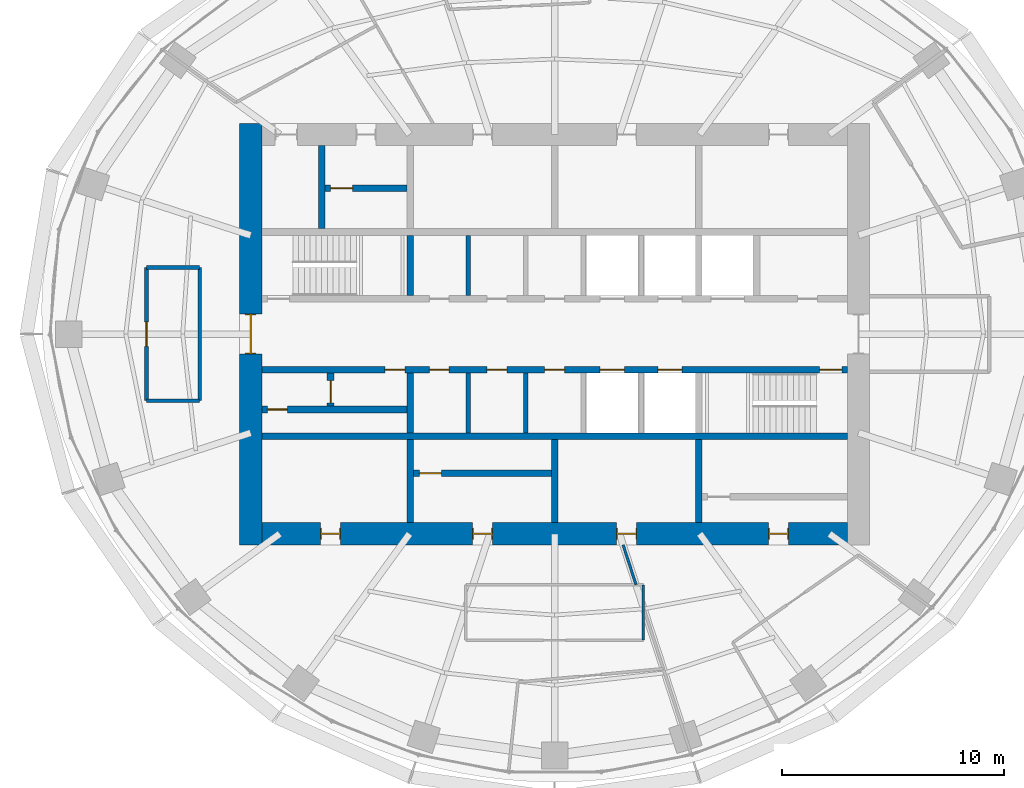
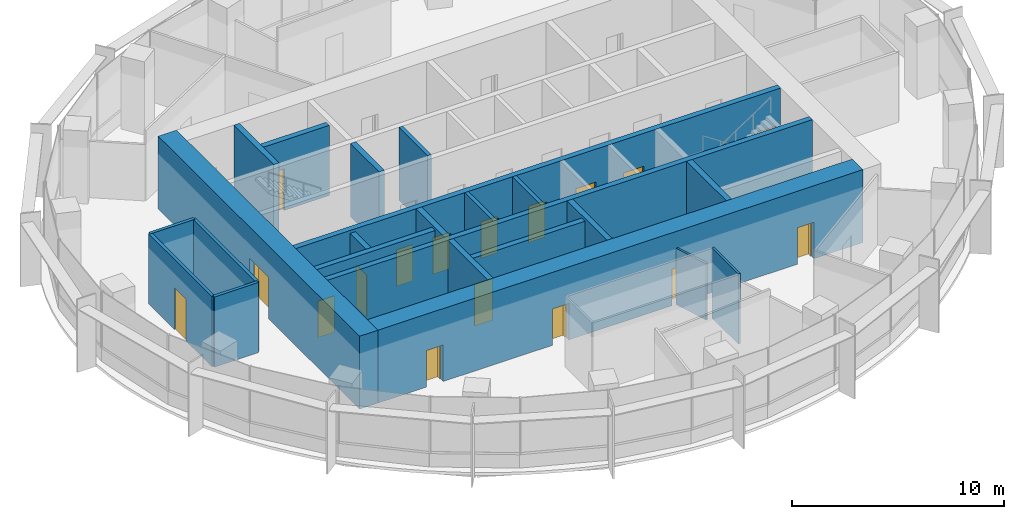
# One storey, part 9 of 13: 23 walls, 17 doors, 17 openings.
"""IFC4 building model written with IfcOpenShell, lengths in metres."""

from ifc_helpers import new_model, si_unit, direction, frame, frame_2d, origin, place, context, subcontext, project, spatial, rectangle, extrude, material, layer, layer_set, type_object, element, fill, save


model = new_model("IFC4")

# Units and contexts
model_context = context("Model", 3, precision=1e-05, world=origin(), true_north=direction((0.0, 1.0)))
body_context = subcontext(model_context, "Body", "Model", "MODEL_VIEW")
ifc_project = project(units=[si_unit("LENGTHUNIT", "METRE"), si_unit("AREAUNIT", "SQUARE_METRE"), si_unit("VOLUMEUNIT", "CUBIC_METRE"), si_unit("PLANEANGLEUNIT", "RADIAN"), si_unit("MASSUNIT", "GRAM", prefix="KILO")], contexts=[model_context])

# Site, building, storey
site_placement = place(None, origin())
site = spatial("IfcSite", under=ifc_project, at=site_placement, CompositionType="ELEMENT")
building_placement = place(site_placement, origin())
building = spatial("IfcBuilding", under=site, at=building_placement, Name="Marramba Exchange Tower", CompositionType="ELEMENT")
storey_placement = place(building_placement, frame((0.0, 0.0, 260.199951171875)))
storey = spatial("IfcBuildingStorey", under=building, at=storey_placement, Name="L63", CompositionType="ELEMENT", Elevation=260.199951171875)

# Walls
ifc_material_1 = material(Name="Plasterboard on staggered double steel studs, acoustic insulation", Category="steel")
ifc_layer_1 = layer(ifc_material_1, 0.169921875)
ifc_layer_set_1 = layer_set([ifc_layer_1], Name="Acoustic partition 170")
wall_type_1 = type_object("IfcWallType", Name="Acoustic partition 170", PredefinedType="PARTITIONING", material=ifc_layer_set_1)
for number, where, z_axis, x_axis, name in (
    (1, (-16.0, -3.0, 0.0), (0.0, 0.0, 1.0), (-1.0, 0.0, 0.0), "Acoustic partition L63 01"),
    (2, (-18.39990234375, 3.0, 0.0), (0.0, 0.0, 1.0), (1.0, 0.0, 0.0), "Acoustic partition L63 25"),
):
    element("IfcWall", number, at=place(storey_placement, frame(where, z_axis=z_axis, x_axis=x_axis)), inside=storey, type_object=wall_type_1, Name=name, PredefinedType="PARTITIONING", context=body_context, shape_type="SweptSolid", body=[
        extrude(rectangle(XDim=2.39990234375, YDim=0.169921875, at=frame_2d((1.199951171875, 0.0))), origin(), (0.0, 0.0, 1.0), 4.0400390625),
    ])

# Wall, opening, door
wall_1_placement = place(storey_placement, frame((-18.39990234375, -3.0, 0.0), z_axis=(0.0, 0.0, 1.0), x_axis=(0.0, 1.0, 0.0)))
wall_1 = element("IfcWall", 3, at=wall_1_placement, inside=storey, type_object=wall_type_1, Name="Acoustic partition L63 26", PredefinedType="PARTITIONING", context=body_context, shape_type="SweptSolid", body=[
    extrude(rectangle(XDim=6.0, YDim=0.169921875, at=frame_2d((3.0, 0.0))), origin(), (0.0, 0.0, 1.0), 4.0400390625),
])
opening_1_placement = place(wall_1_placement, frame((2.449951171875, 0.0, 0.0)))
opening_1 = element("IfcOpeningElement", 4, at=opening_1_placement, cuts=wall_1, Name="Opening D15", PredefinedType="OPENING", context=body_context, shape_type="SweptSolid", body=[
    extrude(rectangle(XDim=1.10009765625, YDim=2.39990234375, at=frame_2d((0.550048828125, 1.199951171875))), frame((0.0, 0.094970703125, 0.0), z_axis=(0.0, -1.0, 0.0), x_axis=(1.0, 0.0, 0.0)), (0.0, 0.0, 1.0), 0.18994140625),
])
ifc_material_2 = material(Name="Timber door", Category="wood")
door_type_1 = type_object("IfcDoorType", Name="Glazed meeting room door 1100x2400", OperationType="SINGLE_SWING_LEFT", PredefinedType="DOOR", material=ifc_material_2)
door_1_placement = place(opening_1_placement, frame((1.10009765625, 0.0, 0.0), z_axis=(0.0, 0.0, 1.0), x_axis=(-1.0, 0.0, 0.0)))
door_1 = element("IfcDoor", 5, at=door_1_placement, inside=storey, type_object=door_type_1, Name="D15 Meeting Room L63", OperationType="SINGLE_SWING_RIGHT", OverallHeight=2.39990234375, OverallWidth=1.10009765625, PredefinedType="DOOR", context=body_context, shape_type="SweptSolid", body=[
    extrude(rectangle(XDim=1.10009765625, YDim=2.39990234375, at=frame_2d((0.550048828125, 1.199951171875))), frame((0.0, 0.025146484375, 0.0), z_axis=(0.0, -1.0, 0.0), x_axis=(1.0, 0.0, 0.0)), (0.0, 0.0, 1.0), 0.050048828125),
])
fill(opening_1, door_1)

# Walls
wall_2_placement = place(storey_placement, frame((-16.0, 3.0, 0.0), z_axis=(0.0, 0.0, 1.0), x_axis=(0.0, -1.0, 0.0)))
element("IfcWall", 6, at=wall_2_placement, inside=storey, type_object=wall_type_1, Name="Acoustic partition L63 27", PredefinedType="PARTITIONING", context=body_context, shape_type="SweptSolid", body=[
    extrude(rectangle(XDim=6.0, YDim=0.169921875, at=frame_2d((3.0, 0.0))), origin(), (0.0, 0.0, 1.0), 4.0400390625),
])
ifc_material_3 = material(Name="Concrete N50", Category="concrete")
ifc_layer_2 = layer(ifc_material_3, 0.199951171875)
ifc_layer_set_2 = layer_set([ifc_layer_2], Name="Core shaft wall 200")
wall_type_2 = type_object("IfcWallType", Name="Core shaft wall 200", PredefinedType="SHEAR", material=ifc_layer_set_2)
for number, where, z_axis, x_axis, name in (
    (7, (-3.89990234375, 1.75, 0.0), (0.0, 0.0, 1.0), (0.0, 1.0, 0.0), "Core wall SHN1 L63"),
    (8, (-3.89990234375, -1.75, 0.0), (0.0, 0.0, 1.0), (0.0, -1.0, 0.0), "Core wall SHS1 L63"),
    (9, (-1.300048828125, -1.75, 0.0), (0.0, 0.0, 1.0), (0.0, -1.0, 0.0), "Core wall SHS2 L63"),
):
    element("IfcWall", number, at=place(storey_placement, frame(where, z_axis=z_axis, x_axis=x_axis)), inside=storey, type_object=wall_type_2, Name=name, PredefinedType="SHEAR", context=body_context, shape_type="SweptSolid", body=[
        extrude(rectangle(XDim=2.699951171875, YDim=0.199951171875, at=frame_2d((1.35009765625, 0.0))), origin(), (0.0, 0.0, 1.0), 4.199951171875),
    ])

# Wall, openings, doors
ifc_layer_3 = layer(ifc_material_3, 1.0)
ifc_layer_set_3 = layer_set([ifc_layer_3], Name="Core wall 1000")
wall_type_3 = type_object("IfcWallType", Name="Core wall 1000", PredefinedType="SHEAR", material=ifc_layer_set_3)
wall_3_placement = place(storey_placement, frame((-13.199951171875, -9.0, 0.0), z_axis=(0.0, 0.0, 1.0), x_axis=(1.0, 0.0, 0.0)))
wall_3 = element("IfcWall", 10, at=wall_3_placement, inside=storey, type_object=wall_type_3, Name="Core wall S L63", PredefinedType="SHEAR", context=body_context, shape_type="SweptSolid", body=[
    extrude(rectangle(XDim=26.39990234375, YDim=1.0, at=frame_2d((13.199951171875, 0.0))), origin(), (0.0, 0.0, 1.0), 4.199951171875),
])
opening_2_placement = place(wall_3_placement, frame((2.64990234375, 0.0, 0.0)))
opening_2 = element("IfcOpeningElement", 11, at=opening_2_placement, cuts=wall_3, Name="Opening D5", PredefinedType="OPENING", context=body_context, shape_type="SweptSolid", body=[
    extrude(rectangle(XDim=0.89990234375, YDim=2.10009765625, at=frame_2d((0.449951171875, 1.050048828125))), frame((0.0, 0.510009765625, 0.0), z_axis=(0.0, -1.0, 0.0), x_axis=(1.0, 0.0, 0.0)), (0.0, 0.0, 1.0), 1.02001953125),
])
opening_3_placement = place(wall_3_placement, frame((9.5, 0.0, 0.0)))
opening_3 = element("IfcOpeningElement", 12, at=opening_3_placement, cuts=wall_3, Name="Opening D5", PredefinedType="OPENING", context=body_context, shape_type="SweptSolid", body=[
    extrude(rectangle(XDim=0.89990234375, YDim=2.10009765625, at=frame_2d((0.449951171875, 1.050048828125))), frame((0.0, 0.510009765625, 0.0), z_axis=(0.0, -1.0, 0.0), x_axis=(1.0, 0.0, 0.0)), (0.0, 0.0, 1.0), 1.02001953125),
])
opening_4_placement = place(wall_3_placement, frame((16.0, 0.0, 0.0)))
opening_4 = element("IfcOpeningElement", 13, at=opening_4_placement, cuts=wall_3, Name="Opening D5", PredefinedType="OPENING", context=body_context, shape_type="SweptSolid", body=[
    extrude(rectangle(XDim=0.89990234375, YDim=2.10009765625, at=frame_2d((0.449951171875, 1.050048828125))), frame((0.0, 0.510009765625, 0.0), z_axis=(0.0, -1.0, 0.0), x_axis=(1.0, 0.0, 0.0)), (0.0, 0.0, 1.0), 1.02001953125),
])
opening_5_placement = place(wall_3_placement, frame((22.85009765625, 0.0, 0.0)))
opening_5 = element("IfcOpeningElement", 14, at=opening_5_placement, cuts=wall_3, Name="Opening D5", PredefinedType="OPENING", context=body_context, shape_type="SweptSolid", body=[
    extrude(rectangle(XDim=0.89990234375, YDim=2.10009765625, at=frame_2d((0.449951171875, 1.050048828125))), frame((0.0, 0.510009765625, 0.0), z_axis=(0.0, -1.0, 0.0), x_axis=(1.0, 0.0, 0.0)), (0.0, 0.0, 1.0), 1.02001953125),
])
ifc_material_4 = material(Name="Steel-framed door", Category="steel")
door_type_2 = type_object("IfcDoorType", Name="Service door 900x2100", OperationType="SINGLE_SWING_LEFT", PredefinedType="DOOR", material=ifc_material_4)
door_2_placement = place(opening_2_placement, origin())
door_2 = element("IfcDoor", 15, at=door_2_placement, inside=storey, type_object=door_type_2, Name="D5 ahu L63", OperationType="SINGLE_SWING_LEFT", OverallHeight=2.10009765625, OverallWidth=0.89990234375, PredefinedType="DOOR", context=body_context, shape_type="SweptSolid", body=[
    extrude(rectangle(XDim=0.81982421875, YDim=2.06005859375, at=frame_2d((0.449951171875, 1.030029296875))), frame((0.0, 0.02490234375, 0.0), z_axis=(0.0, -1.0, 0.0), x_axis=(1.0, 0.0, 0.0)), (0.0, 0.0, 1.0), 0.050048828125),
    extrude(rectangle(XDim=0.04, YDim=2.10009765625, at=frame_2d((0.02001953125, 1.050048828125))), frame((0.0, 0.25, 0.0), z_axis=(0.0, -1.0, 0.0), x_axis=(1.0, 0.0, 0.0)), (0.0, 0.0, 1.0), 0.5),
    extrude(rectangle(XDim=0.04, YDim=2.10009765625, at=frame_2d((0.8798828125, 1.050048828125))), frame((0.0, 0.25, 0.0), z_axis=(0.0, -1.0, 0.0), x_axis=(1.0, 0.0, 0.0)), (0.0, 0.0, 1.0), 0.5),
    extrude(rectangle(XDim=0.81982421875, YDim=0.04, at=frame_2d((0.449951171875, 2.080078125))), frame((0.0, 0.25, 0.0), z_axis=(0.0, -1.0, 0.0), x_axis=(1.0, 0.0, 0.0)), (0.0, 0.0, 1.0), 0.5),
])
fill(opening_2, door_2)
door_3_placement = place(opening_3_placement, origin())
door_3 = element("IfcDoor", 16, at=door_3_placement, inside=storey, type_object=door_type_2, Name="D5 store L63", OperationType="SINGLE_SWING_RIGHT", OverallHeight=2.10009765625, OverallWidth=0.89990234375, PredefinedType="DOOR", context=body_context, shape_type="SweptSolid", body=[
    extrude(rectangle(XDim=0.81982421875, YDim=2.06005859375, at=frame_2d((0.449951171875, 1.030029296875))), frame((0.0, 0.02490234375, 0.0), z_axis=(0.0, -1.0, 0.0), x_axis=(1.0, 0.0, 0.0)), (0.0, 0.0, 1.0), 0.050048828125),
    extrude(rectangle(XDim=0.04, YDim=2.10009765625, at=frame_2d((0.02001953125, 1.050048828125))), frame((0.0, 0.25, 0.0), z_axis=(0.0, -1.0, 0.0), x_axis=(1.0, 0.0, 0.0)), (0.0, 0.0, 1.0), 0.5),
    extrude(rectangle(XDim=0.04, YDim=2.10009765625, at=frame_2d((0.8798828125, 1.050048828125))), frame((0.0, 0.25, 0.0), z_axis=(0.0, -1.0, 0.0), x_axis=(1.0, 0.0, 0.0)), (0.0, 0.0, 1.0), 0.5),
    extrude(rectangle(XDim=0.81982421875, YDim=0.04, at=frame_2d((0.449951171875, 2.080078125))), frame((0.0, 0.25, 0.0), z_axis=(0.0, -1.0, 0.0), x_axis=(1.0, 0.0, 0.0)), (0.0, 0.0, 1.0), 0.5),
])
fill(opening_3, door_3)
door_4_placement = place(opening_4_placement, origin())
door_4 = element("IfcDoor", 17, at=door_4_placement, inside=storey, type_object=door_type_2, Name="D5 switch L63", OperationType="SINGLE_SWING_RIGHT", OverallHeight=2.10009765625, OverallWidth=0.89990234375, PredefinedType="DOOR", context=body_context, shape_type="SweptSolid", body=[
    extrude(rectangle(XDim=0.81982421875, YDim=2.06005859375, at=frame_2d((0.449951171875, 1.030029296875))), frame((0.0, 0.02490234375, 0.0), z_axis=(0.0, -1.0, 0.0), x_axis=(1.0, 0.0, 0.0)), (0.0, 0.0, 1.0), 0.050048828125),
    extrude(rectangle(XDim=0.04, YDim=2.10009765625, at=frame_2d((0.02001953125, 1.050048828125))), frame((0.0, 0.25, 0.0), z_axis=(0.0, -1.0, 0.0), x_axis=(1.0, 0.0, 0.0)), (0.0, 0.0, 1.0), 0.5),
    extrude(rectangle(XDim=0.04, YDim=2.10009765625, at=frame_2d((0.8798828125, 1.050048828125))), frame((0.0, 0.25, 0.0), z_axis=(0.0, -1.0, 0.0), x_axis=(1.0, 0.0, 0.0)), (0.0, 0.0, 1.0), 0.5),
    extrude(rectangle(XDim=0.81982421875, YDim=0.04, at=frame_2d((0.449951171875, 2.080078125))), frame((0.0, 0.25, 0.0), z_axis=(0.0, -1.0, 0.0), x_axis=(1.0, 0.0, 0.0)), (0.0, 0.0, 1.0), 0.5),
])
fill(opening_4, door_4)
door_5_placement = place(opening_5_placement, origin())
door_5 = element("IfcDoor", 18, at=door_5_placement, inside=storey, type_object=door_type_2, Name="D5 cstore L63", OperationType="SINGLE_SWING_RIGHT", OverallHeight=2.10009765625, OverallWidth=0.89990234375, PredefinedType="DOOR", context=body_context, shape_type="SweptSolid", body=[
    extrude(rectangle(XDim=0.81982421875, YDim=2.06005859375, at=frame_2d((0.449951171875, 1.030029296875))), frame((0.0, 0.02490234375, 0.0), z_axis=(0.0, -1.0, 0.0), x_axis=(1.0, 0.0, 0.0)), (0.0, 0.0, 1.0), 0.050048828125),
    extrude(rectangle(XDim=0.04, YDim=2.10009765625, at=frame_2d((0.02001953125, 1.050048828125))), frame((0.0, 0.25, 0.0), z_axis=(0.0, -1.0, 0.0), x_axis=(1.0, 0.0, 0.0)), (0.0, 0.0, 1.0), 0.5),
    extrude(rectangle(XDim=0.04, YDim=2.10009765625, at=frame_2d((0.8798828125, 1.050048828125))), frame((0.0, 0.25, 0.0), z_axis=(0.0, -1.0, 0.0), x_axis=(1.0, 0.0, 0.0)), (0.0, 0.0, 1.0), 0.5),
    extrude(rectangle(XDim=0.81982421875, YDim=0.04, at=frame_2d((0.449951171875, 2.080078125))), frame((0.0, 0.25, 0.0), z_axis=(0.0, -1.0, 0.0), x_axis=(1.0, 0.0, 0.0)), (0.0, 0.0, 1.0), 0.5),
])
fill(opening_5, door_5)

# Wall, opening, door
wall_4_placement = place(storey_placement, frame((-13.699951171875, 9.5, 0.0), z_axis=(0.0, 0.0, 1.0), x_axis=(0.0, -1.0, 0.0)))
wall_4 = element("IfcWall", 19, at=wall_4_placement, inside=storey, type_object=wall_type_3, Name="Core wall W L63", PredefinedType="SHEAR", context=body_context, shape_type="SweptSolid", body=[
    extrude(rectangle(XDim=19.0, YDim=1.0, at=frame_2d((9.5, 0.0))), origin(), (0.0, 0.0, 1.0), 4.199951171875),
])
opening_6_placement = place(wall_4_placement, frame((8.60009765625, 0.0, 0.0)))
opening_6 = element("IfcOpeningElement", 20, at=opening_6_placement, cuts=wall_4, Name="Opening D1", PredefinedType="OPENING", context=body_context, shape_type="SweptSolid", body=[
    extrude(rectangle(XDim=1.800048828125, YDim=2.39990234375, at=frame_2d((0.89990234375, 1.199951171875))), frame((0.0, 0.510009765625, 0.0), z_axis=(0.0, -1.0, 0.0), x_axis=(1.0, 0.0, 0.0)), (0.0, 0.0, 1.0), 1.02001953125),
])
door_type_3 = type_object("IfcDoorType", Name="Lobby exit door 1800x2400", OperationType="DOUBLE_DOOR_SINGLE_SWING", PredefinedType="DOOR", material=ifc_material_4)
door_6_placement = place(opening_6_placement, origin())
door_6 = element("IfcDoor", 21, at=door_6_placement, inside=storey, type_object=door_type_3, Name="D1 lobby exit west L63", OperationType="DOUBLE_DOOR_SINGLE_SWING", OverallHeight=2.39990234375, OverallWidth=1.800048828125, PredefinedType="DOOR", context=body_context, shape_type="SweptSolid", body=[
    extrude(rectangle(XDim=1.719970703125, YDim=2.35986328125, at=frame_2d((0.89990234375, 1.179931640625))), frame((0.0, 0.02490234375, 0.0), z_axis=(0.0, -1.0, 0.0), x_axis=(1.0, 0.0, 0.0)), (0.0, 0.0, 1.0), 0.050048828125),
    extrude(rectangle(XDim=0.04, YDim=2.39990234375, at=frame_2d((0.02001953125, 1.199951171875))), frame((0.0, 0.25, 0.0), z_axis=(0.0, -1.0, 0.0), x_axis=(1.0, 0.0, 0.0)), (0.0, 0.0, 1.0), 0.5),
    extrude(rectangle(XDim=0.04, YDim=2.39990234375, at=frame_2d((1.780029296875, 1.199951171875))), frame((0.0, 0.25, 0.0), z_axis=(0.0, -1.0, 0.0), x_axis=(1.0, 0.0, 0.0)), (0.0, 0.0, 1.0), 0.5),
    extrude(rectangle(XDim=1.719970703125, YDim=0.04, at=frame_2d((0.89990234375, 2.3798828125))), frame((0.0, 0.25, 0.0), z_axis=(0.0, -1.0, 0.0), x_axis=(1.0, 0.0, 0.0)), (0.0, 0.0, 1.0), 0.5),
])
fill(opening_6, door_6)

# Wall, openings, doors
ifc_layer_4 = layer(ifc_material_3, 0.300048828125)
ifc_layer_set_4 = layer_set([ifc_layer_4], Name="Core wall 300")
wall_type_4 = type_object("IfcWallType", Name="Core wall 300", PredefinedType="SHEAR", material=ifc_layer_set_4)
wall_5_placement = place(storey_placement, frame((-13.199951171875, -1.60009765625, 0.0), z_axis=(0.0, 0.0, 1.0), x_axis=(1.0, 0.0, 0.0)))
wall_5 = element("IfcWall", 22, at=wall_5_placement, inside=storey, type_object=wall_type_4, Name="Core wall LS L63", PredefinedType="SHEAR", context=body_context, shape_type="SweptSolid", body=[
    extrude(rectangle(XDim=26.39990234375, YDim=0.300048828125, at=frame_2d((13.199951171875, 0.0))), origin(), (0.0, 0.0, 1.0), 4.199951171875),
])
opening_7_placement = place(wall_5_placement, frame((25.14990234375, 0.0, 0.0)))
opening_7 = element("IfcOpeningElement", 23, at=opening_7_placement, cuts=wall_5, Name="Opening D2", PredefinedType="OPENING", context=body_context, shape_type="SweptSolid", body=[
    extrude(rectangle(XDim=1.0, YDim=2.10009765625, at=frame_2d((0.5, 1.050048828125))), frame((0.0, 0.159912109375, 0.0), z_axis=(0.0, -1.0, 0.0), x_axis=(1.0, 0.0, 0.0)), (0.0, 0.0, 1.0), 0.320068359375),
])
opening_8_placement = place(wall_5_placement, frame((7.550048828125, 0.0, 0.0)))
opening_8 = element("IfcOpeningElement", 24, at=opening_8_placement, cuts=wall_5, Name="Opening D5", PredefinedType="OPENING", context=body_context, shape_type="SweptSolid", body=[
    extrude(rectangle(XDim=0.89990234375, YDim=2.10009765625, at=frame_2d((0.449951171875, 1.050048828125))), frame((0.0, 0.159912109375, 0.0), z_axis=(0.0, -1.0, 0.0), x_axis=(1.0, 0.0, 0.0)), (0.0, 0.0, 1.0), 0.320068359375),
])
opening_9_placement = place(wall_5_placement, frame((10.14990234375, 0.0, 0.0)))
opening_9 = element("IfcOpeningElement", 25, at=opening_9_placement, cuts=wall_5, Name="Opening D5", PredefinedType="OPENING", context=body_context, shape_type="SweptSolid", body=[
    extrude(rectangle(XDim=0.89990234375, YDim=2.10009765625, at=frame_2d((0.449951171875, 1.050048828125))), frame((0.0, 0.159912109375, 0.0), z_axis=(0.0, -1.0, 0.0), x_axis=(1.0, 0.0, 0.0)), (0.0, 0.0, 1.0), 0.320068359375),
])
opening_10_placement = place(wall_5_placement, frame((12.75, 0.0, 0.0)))
opening_10 = element("IfcOpeningElement", 26, at=opening_10_placement, cuts=wall_5, Name="Opening D3", PredefinedType="OPENING", context=body_context, shape_type="SweptSolid", body=[
    extrude(rectangle(XDim=0.89990234375, YDim=2.10009765625, at=frame_2d((0.449951171875, 1.050048828125))), frame((0.0, 0.159912109375, 0.0), z_axis=(0.0, -1.0, 0.0), x_axis=(1.0, 0.0, 0.0)), (0.0, 0.0, 1.0), 0.320068359375),
])
opening_11_placement = place(wall_5_placement, frame((15.25, 0.0, 0.0)))
opening_11 = element("IfcOpeningElement", 27, at=opening_11_placement, cuts=wall_5, Name="Opening LD2", PredefinedType="OPENING", context=body_context, shape_type="SweptSolid", body=[
    extrude(rectangle(XDim=1.10009765625, YDim=2.300048828125, at=frame_2d((0.550048828125, 1.14990234375))), frame((0.0, 0.159912109375, 0.0), z_axis=(0.0, -1.0, 0.0), x_axis=(1.0, 0.0, 0.0)), (0.0, 0.0, 1.0), 0.320068359375),
])
opening_12_placement = place(wall_5_placement, frame((17.85009765625, 0.0, 0.0)))
opening_12 = element("IfcOpeningElement", 28, at=opening_12_placement, cuts=wall_5, Name="Opening LD2", PredefinedType="OPENING", context=body_context, shape_type="SweptSolid", body=[
    extrude(rectangle(XDim=1.10009765625, YDim=2.300048828125, at=frame_2d((0.550048828125, 1.14990234375))), frame((0.0, 0.159912109375, 0.0), z_axis=(0.0, -1.0, 0.0), x_axis=(1.0, 0.0, 0.0)), (0.0, 0.0, 1.0), 0.320068359375),
])
opening_13_placement = place(wall_5_placement, frame((5.550048828125, 0.0, 0.0)))
opening_13 = element("IfcOpeningElement", 29, at=opening_13_placement, cuts=wall_5, Name="Opening D5", PredefinedType="OPENING", context=body_context, shape_type="SweptSolid", body=[
    extrude(rectangle(XDim=0.89990234375, YDim=2.10009765625, at=frame_2d((0.449951171875, 1.050048828125))), frame((0.0, 0.159912109375, 0.0), z_axis=(0.0, -1.0, 0.0), x_axis=(1.0, 0.0, 0.0)), (0.0, 0.0, 1.0), 0.320068359375),
])
door_type_4 = type_object("IfcDoorType", Name="Emergency lift landing door 1100x2300", OperationType="SLIDING_TO_LEFT", PredefinedType="DOOR", material=ifc_material_4)
door_7_placement = place(opening_11_placement, frame((1.10009765625, 0.0, 0.0), z_axis=(0.0, 0.0, 1.0), x_axis=(-1.0, 0.0, 0.0)))
door_7 = element("IfcDoor", 30, at=door_7_placement, inside=storey, type_object=door_type_4, Name="FL1 landing door L63", OperationType="SLIDING_TO_RIGHT", OverallHeight=2.300048828125, OverallWidth=1.10009765625, PredefinedType="DOOR", context=body_context, shape_type="SweptSolid", body=[
    extrude(rectangle(XDim=1.10009765625, YDim=2.300048828125, at=frame_2d((0.550048828125, 1.14990234375))), frame((0.0, 0.025146484375, 0.0), z_axis=(0.0, -1.0, 0.0), x_axis=(1.0, 0.0, 0.0)), (0.0, 0.0, 1.0), 0.050048828125),
])
fill(opening_11, door_7)
door_8_placement = place(opening_12_placement, frame((1.10009765625, 0.0, 0.0), z_axis=(0.0, 0.0, 1.0), x_axis=(-1.0, 0.0, 0.0)))
door_8 = element("IfcDoor", 31, at=door_8_placement, inside=storey, type_object=door_type_4, Name="FL2 landing door L63", OperationType="SLIDING_TO_LEFT", OverallHeight=2.300048828125, OverallWidth=1.10009765625, PredefinedType="DOOR", context=body_context, shape_type="SweptSolid", body=[
    extrude(rectangle(XDim=1.10009765625, YDim=2.300048828125, at=frame_2d((0.550048828125, 1.14990234375))), frame((0.0, 0.025146484375, 0.0), z_axis=(0.0, -1.0, 0.0), x_axis=(1.0, 0.0, 0.0)), (0.0, 0.0, 1.0), 0.050048828125),
])
fill(opening_12, door_8)
door_9_placement = place(opening_8_placement, frame((0.89990234375, 0.0, 0.0), z_axis=(0.0, 0.0, 1.0), x_axis=(-1.0, 0.0, 0.0)))
door_9 = element("IfcDoor", 32, at=door_9_placement, inside=storey, type_object=door_type_2, Name="D5 cleaner store L63", OperationType="SINGLE_SWING_RIGHT", OverallHeight=2.10009765625, OverallWidth=0.89990234375, PredefinedType="DOOR", context=body_context, shape_type="SweptSolid", body=[
    extrude(rectangle(XDim=0.89990234375, YDim=2.10009765625, at=frame_2d((0.449951171875, 1.050048828125))), frame((0.0, 0.025146484375, 0.0), z_axis=(0.0, -1.0, 0.0), x_axis=(1.0, 0.0, 0.0)), (0.0, 0.0, 1.0), 0.050048828125),
])
fill(opening_8, door_9)
door_10_placement = place(opening_9_placement, frame((0.89990234375, 0.0, 0.0), z_axis=(0.0, 0.0, 1.0), x_axis=(-1.0, 0.0, 0.0)))
door_10 = element("IfcDoor", 33, at=door_10_placement, inside=storey, type_object=door_type_2, Name="D5 general store L63", OperationType="SINGLE_SWING_RIGHT", OverallHeight=2.10009765625, OverallWidth=0.89990234375, PredefinedType="DOOR", context=body_context, shape_type="SweptSolid", body=[
    extrude(rectangle(XDim=0.89990234375, YDim=2.10009765625, at=frame_2d((0.449951171875, 1.050048828125))), frame((0.0, 0.025146484375, 0.0), z_axis=(0.0, -1.0, 0.0), x_axis=(1.0, 0.0, 0.0)), (0.0, 0.0, 1.0), 0.050048828125),
])
fill(opening_9, door_10)
door_11_placement = place(opening_13_placement, frame((0.89990234375, 0.0, 0.0), z_axis=(0.0, 0.0, 1.0), x_axis=(-1.0, 0.0, 0.0)))
door_11 = element("IfcDoor", 34, at=door_11_placement, inside=storey, type_object=door_type_2, Name="D5 electrical riser L63", OperationType="SINGLE_SWING_LEFT", OverallHeight=2.10009765625, OverallWidth=0.89990234375, PredefinedType="DOOR", context=body_context, shape_type="SweptSolid", body=[
    extrude(rectangle(XDim=0.89990234375, YDim=2.10009765625, at=frame_2d((0.449951171875, 1.050048828125))), frame((0.0, 0.025146484375, 0.0), z_axis=(0.0, -1.0, 0.0), x_axis=(1.0, 0.0, 0.0)), (0.0, 0.0, 1.0), 0.050048828125),
])
fill(opening_13, door_11)
door_type_5 = type_object("IfcDoorType", Name="Stair door 1000x2100", OperationType="SINGLE_SWING_LEFT", PredefinedType="DOOR", material=ifc_material_4)
door_12_placement = place(opening_7_placement, frame((1.0, 0.0, 0.0), z_axis=(0.0, 0.0, 1.0), x_axis=(-1.0, 0.0, 0.0)))
door_12 = element("IfcDoor", 35, at=door_12_placement, inside=storey, type_object=door_type_5, Name="D2 stair ST2 L63", OperationType="SINGLE_SWING_LEFT", OverallHeight=2.10009765625, OverallWidth=1.0, PredefinedType="DOOR", context=body_context, shape_type="SweptSolid", body=[
    extrude(rectangle(XDim=1.0, YDim=2.10009765625, at=frame_2d((0.5, 1.050048828125))), frame((0.0, 0.025146484375, 0.0), z_axis=(0.0, -1.0, 0.0), x_axis=(1.0, 0.0, 0.0)), (0.0, 0.0, 1.0), 0.050048828125),
])
fill(opening_7, door_12)
door_type_6 = type_object("IfcDoorType", Name="Toilet door 900x2100", OperationType="SINGLE_SWING_LEFT", PredefinedType="DOOR", material=ifc_material_4)
door_13_placement = place(opening_10_placement, frame((0.89990234375, 0.0, 0.0), z_axis=(0.0, 0.0, 1.0), x_axis=(-1.0, 0.0, 0.0)))
door_13 = element("IfcDoor", 36, at=door_13_placement, inside=storey, type_object=door_type_6, Name="D3 staff wc n1 L63", OperationType="SINGLE_SWING_RIGHT", OverallHeight=2.10009765625, OverallWidth=0.89990234375, PredefinedType="DOOR", context=body_context, shape_type="SweptSolid", body=[
    extrude(rectangle(XDim=0.89990234375, YDim=2.10009765625, at=frame_2d((0.449951171875, 1.050048828125))), frame((0.0, 0.025146484375, 0.0), z_axis=(0.0, -1.0, 0.0), x_axis=(1.0, 0.0, 0.0)), (0.0, 0.0, 1.0), 0.050048828125),
])
fill(opening_10, door_13)

# Walls
wall_6_placement = place(storey_placement, frame((-13.199951171875, -4.60009765625, 0.0), z_axis=(0.0, 0.0, 1.0), x_axis=(1.0, 0.0, 0.0)))
element("IfcWall", 37, at=wall_6_placement, inside=storey, type_object=wall_type_4, Name="Core wall BS L63", PredefinedType="SHEAR", context=body_context, shape_type="SweptSolid", body=[
    extrude(rectangle(XDim=26.39990234375, YDim=0.300048828125, at=frame_2d((13.199951171875, 0.0))), origin(), (0.0, 0.0, 1.0), 4.199951171875),
])
for number, where, z_axis, x_axis, name in (
    (38, (-6.5, 1.75, 0.0), (0.0, 0.0, 1.0), (0.0, 1.0, 0.0), "Core wall X0Na L63"),
    (39, (-6.5, -1.75, 0.0), (0.0, 0.0, 1.0), (0.0, -1.0, 0.0), "Core wall X0Sa L63"),
):
    element("IfcWall", number, at=place(storey_placement, frame(where, z_axis=z_axis, x_axis=x_axis)), inside=storey, type_object=wall_type_4, Name=name, PredefinedType="SHEAR", context=body_context, shape_type="SweptSolid", body=[
        extrude(rectangle(XDim=2.699951171875, YDim=0.300048828125, at=frame_2d((1.35009765625, 0.0))), origin(), (0.0, 0.0, 1.0), 4.199951171875),
    ])
for number, where, z_axis, x_axis, name in (
    (40, (-6.5, -4.75, 0.0), (0.0, 0.0, 1.0), (0.0, -1.0, 0.0), "Core wall X0Sb L63"),
    (41, (6.5, -4.75, 0.0), (0.0, 0.0, 1.0), (0.0, -1.0, 0.0), "Core wall X1Sb L63"),
    (42, (0.0, -4.75, 0.0), (0.0, 0.0, 1.0), (0.0, -1.0, 0.0), "Core wall MS L63"),
    (43, (-10.5, 4.75, 0.0), (0.0, 0.0, 1.0), (0.0, 1.0, 0.0), "Core wall WD L63"),
):
    element("IfcWall", number, at=place(storey_placement, frame(where, z_axis=z_axis, x_axis=x_axis)), inside=storey, type_object=wall_type_4, Name=name, PredefinedType="SHEAR", context=body_context, shape_type="SweptSolid", body=[
        extrude(rectangle(XDim=3.75, YDim=0.300048828125, at=frame_2d((1.875, 0.0))), origin(), (0.0, 0.0, 1.0), 4.199951171875),
    ])
ifc_material_5 = material(Name="Plasterboard on steel studs", Category="steel")
ifc_layer_5 = layer(ifc_material_5, 0.1201171875)
ifc_layer_set_5 = layer_set([ifc_layer_5], Name="Partition 120")
wall_type_5 = type_object("IfcWallType", Name="Partition 120", PredefinedType="PARTITIONING", material=ifc_layer_set_5)
wall_7_placement = place(storey_placement, frame((4.0, -13.800048828125, 0.0), z_axis=(0.0, 0.0, 1.0), x_axis=(0.0, 1.0, 0.0)))
element("IfcWall", 44, at=wall_7_placement, inside=storey, type_object=wall_type_5, Name="Partition L63 07", PredefinedType="PARTITIONING", context=body_context, shape_type="SweptSolid", body=[
    extrude(rectangle(XDim=2.5, YDim=0.1201171875, at=frame_2d((1.25, 0.0))), origin(), (0.0, 0.0, 1.0), 4.0400390625),
])
wall_8_placement = place(storey_placement, frame((3.671630859375, -11.300048828125, 0.0), z_axis=(0.0, 0.0, 1.0), x_axis=(-0.309059822154, 0.95104259964, 0.0)))
element("IfcWall", 45, at=wall_8_placement, inside=storey, type_object=wall_type_5, Name="Partition L63 09", PredefinedType="PARTITIONING", context=body_context, shape_type="SweptSolid", body=[
    extrude(rectangle(XDim=1.892822265625, YDim=0.1201171875, at=frame_2d((0.9462890625, 0.0))), origin(), (0.0, 0.0, 1.0), 3.239990234375),
])

# Wall, opening, door
ifc_material_6 = material(Name="Core-filled concrete blockwork", Category="masonry")
ifc_layer_6 = layer(ifc_material_6, 0.300048828125)
ifc_layer_set_6 = layer_set([ifc_layer_6], Name="Riser enclosure wall 300")
wall_type_6 = type_object("IfcWallType", Name="Riser enclosure wall 300", PredefinedType="SOLIDWALL", material=ifc_layer_set_6)
wall_9_placement = place(storey_placement, frame((-13.199951171875, -3.39990234375, 0.0), z_axis=(0.0, 0.0, 1.0), x_axis=(1.0, 0.0, 0.0)))
wall_9 = element("IfcWall", 46, at=wall_9_placement, inside=storey, type_object=wall_type_6, Name="Riser enclosure wall L63", PredefinedType="SOLIDWALL", context=body_context, shape_type="SweptSolid", body=[
    extrude(rectangle(XDim=6.550048828125, YDim=0.300048828125, at=frame_2d((3.27490234375, 0.0))), origin(), (0.0, 0.0, 1.0), 4.0400390625),
])
opening_14_placement = place(wall_9_placement, frame((0.25, 0.0, 0.0)))
opening_14 = element("IfcOpeningElement", 47, at=opening_14_placement, cuts=wall_9, Name="Opening D5", PredefinedType="OPENING", context=body_context, shape_type="SweptSolid", body=[
    extrude(rectangle(XDim=0.89990234375, YDim=2.10009765625, at=frame_2d((0.449951171875, 1.050048828125))), frame((0.0, 0.159912109375, 0.0), z_axis=(0.0, -1.0, 0.0), x_axis=(1.0, 0.0, 0.0)), (0.0, 0.0, 1.0), 0.320068359375),
])
door_14_placement = place(opening_14_placement, origin())
door_14 = element("IfcDoor", 48, at=door_14_placement, inside=storey, type_object=door_type_2, Name="D5 electrical riser back L63", OperationType="SINGLE_SWING_LEFT", OverallHeight=2.10009765625, OverallWidth=0.89990234375, PredefinedType="DOOR", context=body_context, shape_type="SweptSolid", body=[
    extrude(rectangle(XDim=0.89990234375, YDim=2.10009765625, at=frame_2d((0.449951171875, 1.050048828125))), frame((0.0, 0.02490234375, 0.0), z_axis=(0.0, -1.0, 0.0), x_axis=(1.0, 0.0, 0.0)), (0.0, 0.0, 1.0), 0.050048828125),
])
fill(opening_14, door_14)

ifc_material_7 = material(Name="Plasterboard on steel studs, insulated, unrated", Category="steel")
ifc_layer_7 = layer(ifc_material_7, 0.300048828125)
ifc_layer_set_7 = layer_set([ifc_layer_7], Name="Store partition 300")
wall_type_7 = type_object("IfcWallType", Name="Store partition 300", PredefinedType="PARTITIONING", material=ifc_layer_set_7)
wall_10_placement = place(storey_placement, frame((-10.35009765625, 6.580078125, 0.0), z_axis=(0.0, 0.0, 1.0), x_axis=(1.0, 0.0, 0.0)))
wall_10 = element("IfcWall", 49, at=wall_10_placement, inside=storey, type_object=wall_type_7, Name="Store partition L63 cleaner", PredefinedType="PARTITIONING", context=body_context, shape_type="SweptSolid", body=[
    extrude(rectangle(XDim=3.7001953125, YDim=0.300048828125, at=frame_2d((1.85009765625, 0.0))), origin(), (0.0, 0.0, 1.0), 4.0400390625),
])
opening_15_placement = place(wall_10_placement, frame((0.25, 0.0, 0.0)))
opening_15 = element("IfcOpeningElement", 50, at=opening_15_placement, cuts=wall_10, Name="Opening D9", PredefinedType="OPENING", context=body_context, shape_type="SweptSolid", body=[
    extrude(rectangle(XDim=1.0, YDim=2.39990234375, at=frame_2d((0.5, 1.199951171875))), frame((0.0, 0.159912109375, 0.0), z_axis=(0.0, -1.0, 0.0), x_axis=(1.0, 0.0, 0.0)), (0.0, 0.0, 1.0), 0.320068359375),
])
door_type_7 = type_object("IfcDoorType", Name="Room door 1000x2400", OperationType="SINGLE_SWING_LEFT", PredefinedType="DOOR", material=ifc_material_2)
door_15_placement = place(opening_15_placement, frame((1.0, 0.0, 0.0), z_axis=(0.0, 0.0, 1.0), x_axis=(-1.0, 0.0, 0.0)))
door_15 = element("IfcDoor", 51, at=door_15_placement, inside=storey, type_object=door_type_7, Name="D9 cleaning store L63", OperationType="SINGLE_SWING_RIGHT", OverallHeight=2.39990234375, OverallWidth=1.0, PredefinedType="DOOR", context=body_context, shape_type="SweptSolid", body=[
    extrude(rectangle(XDim=1.0, YDim=2.39990234375, at=frame_2d((0.5, 1.199951171875))), frame((0.0, 0.025146484375, 0.0), z_axis=(0.0, -1.0, 0.0), x_axis=(1.0, 0.0, 0.0)), (0.0, 0.0, 1.0), 0.050048828125),
])
fill(opening_15, door_15)

wall_11_placement = place(storey_placement, frame((-6.35009765625, -6.27197265625, 0.0), z_axis=(0.0, 0.0, 1.0), x_axis=(1.0, 0.0, 0.0)))
wall_11 = element("IfcWall", 52, at=wall_11_placement, inside=storey, type_object=wall_type_7, Name="Store partition L63 store", PredefinedType="PARTITIONING", context=body_context, shape_type="SweptSolid", body=[
    extrude(rectangle(XDim=6.2001953125, YDim=0.300048828125, at=frame_2d((3.10009765625, 0.0))), origin(), (0.0, 0.0, 1.0), 4.0400390625),
])
opening_16_placement = place(wall_11_placement, frame((0.25, 0.0, 0.0)))
opening_16 = element("IfcOpeningElement", 53, at=opening_16_placement, cuts=wall_11, Name="Opening D9", PredefinedType="OPENING", context=body_context, shape_type="SweptSolid", body=[
    extrude(rectangle(XDim=1.0, YDim=2.39990234375, at=frame_2d((0.5, 1.199951171875))), frame((0.0, 0.159912109375, 0.0), z_axis=(0.0, -1.0, 0.0), x_axis=(1.0, 0.0, 0.0)), (0.0, 0.0, 1.0), 0.320068359375),
])
door_16_placement = place(opening_16_placement, origin())
door_16 = element("IfcDoor", 54, at=door_16_placement, inside=storey, type_object=door_type_7, Name="D9 stationery store L63", OperationType="SINGLE_SWING_LEFT", OverallHeight=2.39990234375, OverallWidth=1.0, PredefinedType="DOOR", context=body_context, shape_type="SweptSolid", body=[
    extrude(rectangle(XDim=1.0, YDim=2.39990234375, at=frame_2d((0.5, 1.199951171875))), frame((0.0, 0.02490234375, 0.0), z_axis=(0.0, -1.0, 0.0), x_axis=(1.0, 0.0, 0.0)), (0.0, 0.0, 1.0), 0.050048828125),
])
fill(opening_16, door_16)

wall_12_placement = place(storey_placement, frame((-10.10009765625, -3.25, 0.0), z_axis=(0.0, 0.0, 1.0), x_axis=(0.0, 1.0, 0.0)))
wall_12 = element("IfcWall", 55, at=wall_12_placement, inside=storey, type_object=wall_type_7, Name="Store partition L63 tool store", PredefinedType="PARTITIONING", context=body_context, shape_type="SweptSolid", body=[
    extrude(rectangle(XDim=1.5, YDim=0.300048828125, at=frame_2d((0.75, 0.0))), origin(), (0.0, 0.0, 1.0), 4.0400390625),
])
opening_17_placement = place(wall_12_placement, frame((0.14990234375, 0.0, 0.0)))
opening_17 = element("IfcOpeningElement", 56, at=opening_17_placement, cuts=wall_12, Name="Opening D9", PredefinedType="OPENING", context=body_context, shape_type="SweptSolid", body=[
    extrude(rectangle(XDim=1.0, YDim=2.39990234375, at=frame_2d((0.5, 1.199951171875))), frame((0.0, 0.159912109375, 0.0), z_axis=(0.0, -1.0, 0.0), x_axis=(1.0, 0.0, 0.0)), (0.0, 0.0, 1.0), 0.320068359375),
])
door_17_placement = place(opening_17_placement, origin())
door_17 = element("IfcDoor", 57, at=door_17_placement, inside=storey, type_object=door_type_7, Name="D9 tool store L63", OperationType="SINGLE_SWING_LEFT", OverallHeight=2.39990234375, OverallWidth=1.0, PredefinedType="DOOR", context=body_context, shape_type="SweptSolid", body=[
    extrude(rectangle(XDim=1.0, YDim=2.39990234375, at=frame_2d((0.5, 1.199951171875))), frame((0.0, 0.02490234375, 0.0), z_axis=(0.0, -1.0, 0.0), x_axis=(1.0, 0.0, 0.0)), (0.0, 0.0, 1.0), 0.050048828125),
])
fill(opening_17, door_17)

save(model, "model.ifc")
